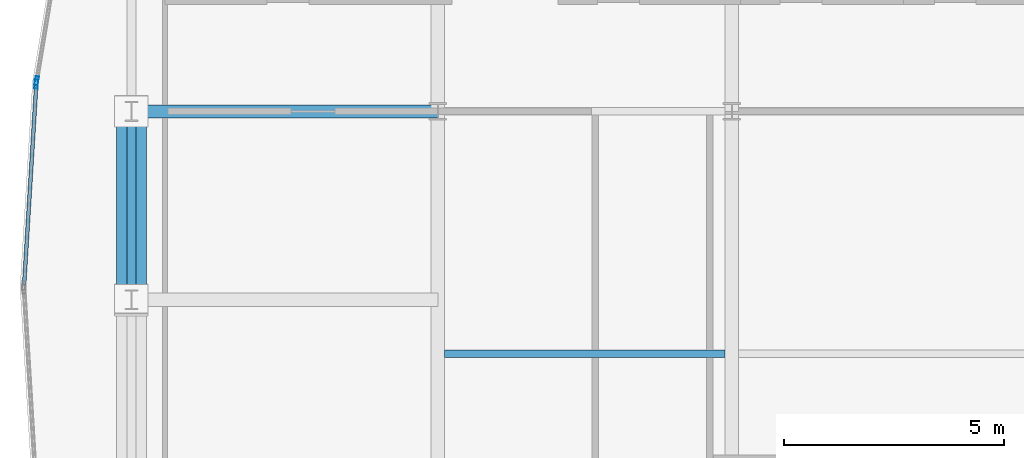
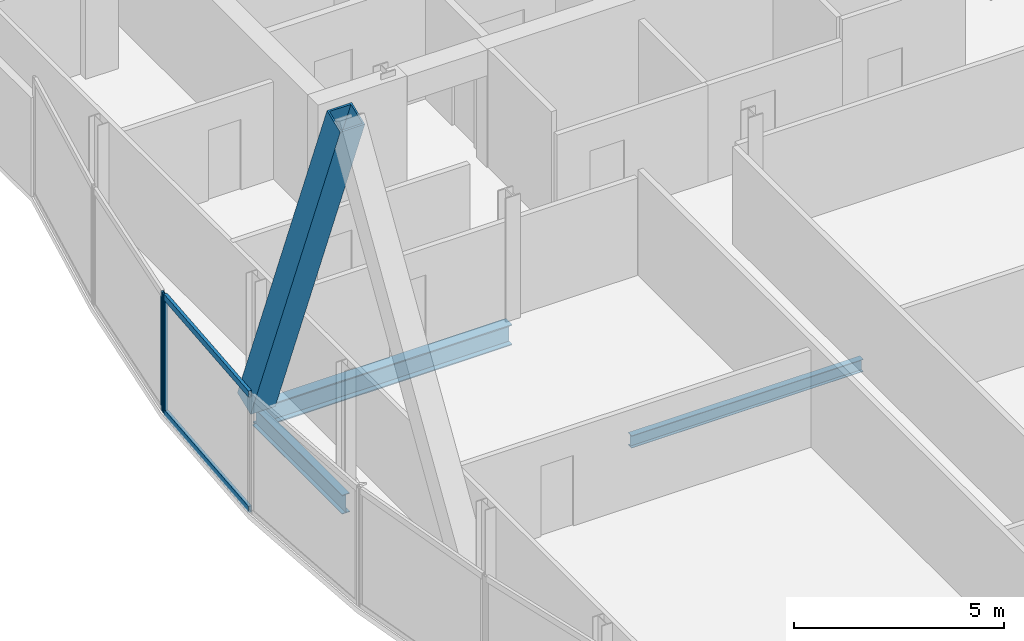
# One storey, part 12 of 31: 5 members, 3 beams, 2 elements without a shape of their own.
"""IFC4 building model written with IfcOpenShell, lengths in metres."""

from ifc_helpers import new_model, si_unit, direction, frame, origin, origin_2d, place, context, subcontext, project, spatial, hollow_rectangle, i_section, extrude, material, material_profile, profile_set, type_object, element, aggregate, save


model = new_model("IFC4")

# Units and contexts
model_context = context("Model", 3, precision=1e-05, world=origin(), true_north=direction((0.0, 1.0)))
body_context = subcontext(model_context, "Body", "Model", "MODEL_VIEW")
ifc_project = project(units=[si_unit("LENGTHUNIT", "METRE"), si_unit("AREAUNIT", "SQUARE_METRE"), si_unit("VOLUMEUNIT", "CUBIC_METRE"), si_unit("PLANEANGLEUNIT", "RADIAN"), si_unit("MASSUNIT", "GRAM", prefix="KILO")], contexts=[model_context])

# Site, building, storey
site_placement = place(None, origin())
site = spatial("IfcSite", under=ifc_project, at=site_placement, CompositionType="ELEMENT")
building_placement = place(site_placement, origin())
building = spatial("IfcBuilding", under=site, at=building_placement, Name="Khoronbel Lancet Exchange", CompositionType="ELEMENT")
storey_placement = place(building_placement, frame((0.0, 0.0, 325.39990234375)))
storey = spatial("IfcBuildingStorey", under=building, at=storey_placement, Name="L84", CompositionType="ELEMENT", Elevation=325.39990234375)

# Beams
ifc_material_1 = material(Name="Steel S355", Category="steel")
ifc_material_profile_1 = material_profile(ifc_material_1, i_section(OverallWidth=0.300048828125, OverallDepth=0.60009765625, WebThickness=0.015380859375, FlangeThickness=0.030029296875, at=origin_2d()), Name="HEB 600")
ifc_profile_set_1 = profile_set([ifc_material_profile_1], Name="Steel S355")
beam_type_1 = type_object("IfcBeamType", Name="BM-BG5", PredefinedType="BEAM", material=ifc_profile_set_1)
beam_1_placement = place(storey_placement, frame((11.27001953125, 35.699951171875, -0.4599609375), z_axis=(1.0, 0.0, 0.0), x_axis=(0.0, 1.0, 0.0)))
element("IfcBeam", 1, at=beam_1_placement, inside=storey, type_object=beam_type_1, Name="Level L84 west lens tie girder LG4W", PredefinedType="BEAM", context=body_context, shape_type="SweptSolid", body=[
    extrude(i_section(OverallWidth=0.300048828125, OverallDepth=0.60009765625, WebThickness=0.015380859375, FlangeThickness=0.030029296875, at=origin_2d()), origin(), (0.0, 0.0, 1.0), 6.955078125),
])
ifc_material_profile_2 = material_profile(ifc_material_1, i_section(OverallWidth=0.169921875, OverallDepth=0.360107421875, WebThickness=0.008056640625, FlangeThickness=0.0126953125, at=origin_2d()), Name="IPE 360")
ifc_profile_set_2 = profile_set([ifc_material_profile_2], Name="Steel S355")
beam_type_2 = type_object("IfcBeamType", Name="BM-BJ6", PredefinedType="JOIST", material=ifc_profile_set_2)
beam_2_placement = place(storey_placement, frame((18.375, 30.199951171875, -0.33984375), z_axis=(1.0, 0.0, 0.0), x_axis=(0.0, 1.0, 0.0)))
element("IfcBeam", 2, at=beam_2_placement, inside=storey, type_object=beam_type_2, Name="Level L84 secondary composite joist J07", PredefinedType="JOIST", context=body_context, shape_type="SweptSolid", body=[
    extrude(i_section(OverallWidth=0.169921875, OverallDepth=0.360107421875, WebThickness=0.008056640625, FlangeThickness=0.0126953125, at=origin_2d()), origin(), (0.0, 0.0, 1.0), 6.375),
])
ifc_material_profile_3 = material_profile(ifc_material_1, i_section(OverallWidth=0.2099609375, OverallDepth=0.550048828125, WebThickness=0.010986328125, FlangeThickness=0.01708984375, at=origin_2d()), Name="IPE 550")
ifc_profile_set_3 = profile_set([ifc_material_profile_3], Name="Steel S355")
beam_type_3 = type_object("IfcBeamType", Name="BM-BSP3", PredefinedType="SPANDREL", material=ifc_profile_set_3)
beam_3_placement = place(storey_placement, frame((11.27001953125, 35.699951171875, -0.434814453125), z_axis=(0.0, -1.0, 0.0), x_axis=(1.0, 0.0, 0.0)))
element("IfcBeam", 3, at=beam_3_placement, inside=storey, type_object=beam_type_3, Name="Level L84 perimeter spandrel beam SP16", PredefinedType="SPANDREL", context=body_context, shape_type="SweptSolid", body=[
    extrude(i_section(OverallWidth=0.2099609375, OverallDepth=0.550048828125, WebThickness=0.010986328125, FlangeThickness=0.01708984375, at=origin_2d()), origin(), (0.0, 0.0, 1.0), 4.27490234375),
])

# Curtain wall, member
ifc_material_2 = material(Name="Low-E Solar Control Insulating Glass", Category="glass")
curtain_wall_type = type_object("IfcCurtainWallType", Name="CW-4", PredefinedType="NOTDEFINED", material=ifc_material_2)
curtain_wall_1_placement = place(storey_placement, origin())
curtain_wall_1 = element("IfcCurtainWall", 4, at=curtain_wall_1_placement, inside=storey, type_object=curtain_wall_type, Name="Unitised curtain wall CW-L84-E07", PredefinedType="NOTDEFINED")
ifc_material_3 = material(Name="Bronze-Anodised Aluminium 6063-T6", Category="aluminium")
ifc_material_profile_4 = material_profile(ifc_material_3, hollow_rectangle(XDim=0.074951171875, YDim=0.199951171875, WallThickness=0.0048828125, at=origin_2d()), Name="ALU MULLION 75x200")
ifc_profile_set_4 = profile_set([ifc_material_profile_4], Name="Bronze-Anodised Aluminium 6063-T6")
member_type_1 = type_object("IfcMemberType", Name="MEM-CWM2", PredefinedType="MULLION", material=ifc_profile_set_4)
member_1_placement = place(storey_placement, frame((9.109375, 36.319091796875, 0.0), z_axis=(0.0, 0.0, 1.0), x_axis=(-0.998168731964, 0.060491177294, 0.0)))
member_1 = element("IfcMember", 5, at=member_1_placement, type_object=member_type_1, Name="CW4 mullion 2", PredefinedType="MULLION", context=body_context, shape_type="SweptSolid", body=[
    extrude(hollow_rectangle(XDim=0.074951171875, YDim=0.199951171875, WallThickness=0.0048828125, at=origin_2d()), origin(), (0.0, 0.0, 1.0), 3.440185546875),
])

curtain_wall_2_placement = place(storey_placement, origin())
curtain_wall_2 = element("IfcCurtainWall", 6, at=curtain_wall_2_placement, inside=storey, type_object=curtain_wall_type, Name="Unitised curtain wall CW-L84-E08", PredefinedType="NOTDEFINED")
member_2_placement = place(storey_placement, frame((9.11767578125, 36.3935546875, 0.0), z_axis=(0.0, 0.0, 1.0), x_axis=(-0.98657075141, 0.163334480321, 0.0)))
member_2 = element("IfcMember", 7, at=member_2_placement, type_object=member_type_1, Name="CW4 mullion 1", PredefinedType="MULLION", context=body_context, shape_type="SweptSolid", body=[
    extrude(hollow_rectangle(XDim=0.074951171875, YDim=0.199951171875, WallThickness=0.0048828125, at=origin_2d()), origin(), (0.0, 0.0, 1.0), 3.440185546875),
])
aggregate(curtain_wall_2, [member_2])

# Member
ifc_material_profile_5 = material_profile(ifc_material_3, hollow_rectangle(XDim=0.0849609375, YDim=0.179931640625, WallThickness=0.0048828125, at=origin_2d()), Name="ALU TRANSOM 85x180")
ifc_profile_set_5 = profile_set([ifc_material_profile_5], Name="Bronze-Anodised Aluminium 6063-T6")
member_type_2 = type_object("IfcMemberType", Name="MEM-CWT1", PredefinedType="USERDEFINED", material=ifc_profile_set_5)
member_3_placement = place(storey_placement, frame((8.833984375, 31.77490234375, 0.04248046875), z_axis=(0.060506488225, 0.99816780397, 0.0), x_axis=(-0.99816780397, 0.060506488225, 0.0)))
member_3 = element("IfcMember", 8, at=member_3_placement, type_object=member_type_2, Name="CW4 transom 1.1", ObjectType="TRANSOM", PredefinedType="USERDEFINED", context=body_context, shape_type="SweptSolid", body=[
    extrude(hollow_rectangle(XDim=0.0849609375, YDim=0.179931640625, WallThickness=0.0048828125, at=origin_2d()), origin(), (0.0, 0.0, 1.0), 4.51513671875),
])

member_4_placement = place(storey_placement, frame((8.833984375, 31.77490234375, 3.397705078125), z_axis=(0.060506488225, 0.99816780397, 0.0), x_axis=(-0.99816780397, 0.060506488225, 0.0)))
member_4 = element("IfcMember", 9, at=member_4_placement, type_object=member_type_2, Name="CW4 transom 1.2", ObjectType="TRANSOM", PredefinedType="USERDEFINED", context=body_context, shape_type="SweptSolid", body=[
    extrude(hollow_rectangle(XDim=0.0849609375, YDim=0.179931640625, WallThickness=0.0048828125, at=origin_2d()), origin(), (0.0, 0.0, 1.0), 4.51513671875),
])

aggregate(curtain_wall_1, [member_1, member_3, member_4])

ifc_material_4 = material(Name="Steel S460", Category="steel")
ifc_material_profile_6 = material_profile(ifc_material_4, hollow_rectangle(XDim=0.679931640625, YDim=0.679931640625, WallThickness=0.044921875, at=origin_2d()), Name="BOX 680x680x45")
ifc_profile_set_6 = profile_set([ifc_material_profile_6], Name="Steel S460")
member_type_3 = type_object("IfcMemberType", Name="MEM-MB3", PredefinedType="BRACE", material=ifc_profile_set_6)
member_5_placement = place(storey_placement, frame((11.27001953125, 35.699951171875, 0.0), z_axis=(0.0, -0.368039743753, 0.929810059646), x_axis=(1.0, 0.0, 0.0)))
element("IfcMember", 10, at=member_5_placement, inside=storey, type_object=member_type_3, Name="Perimeter lancet brace tier 29 W-P-R", PredefinedType="BRACE", context=body_context, shape_type="SweptSolid", body=[
    extrude(hollow_rectangle(XDim=0.679931640625, YDim=0.679931640625, WallThickness=0.044921875, at=origin_2d()), origin(), (0.0, 0.0, 1.0), 11.615234375),
])

save(model, "model.ifc")
